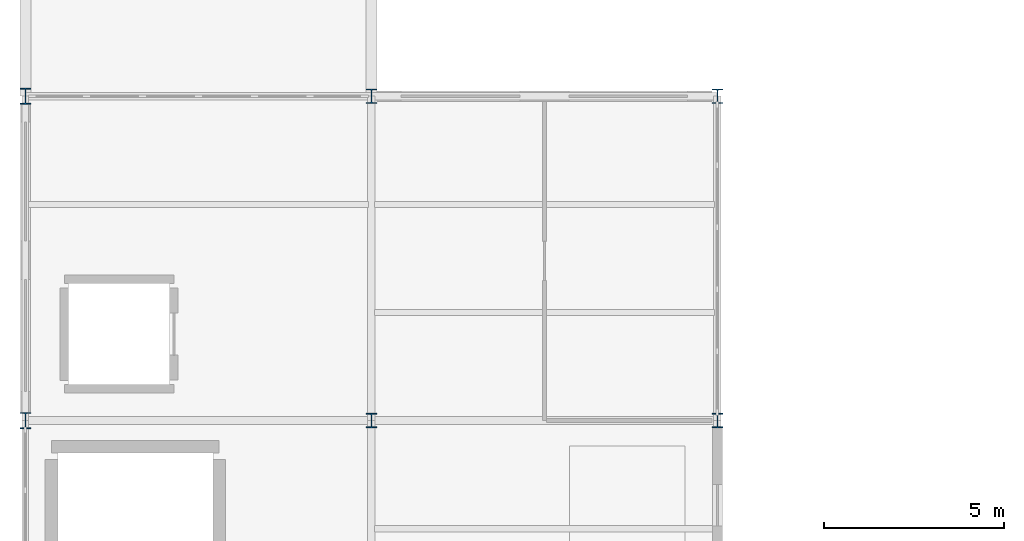
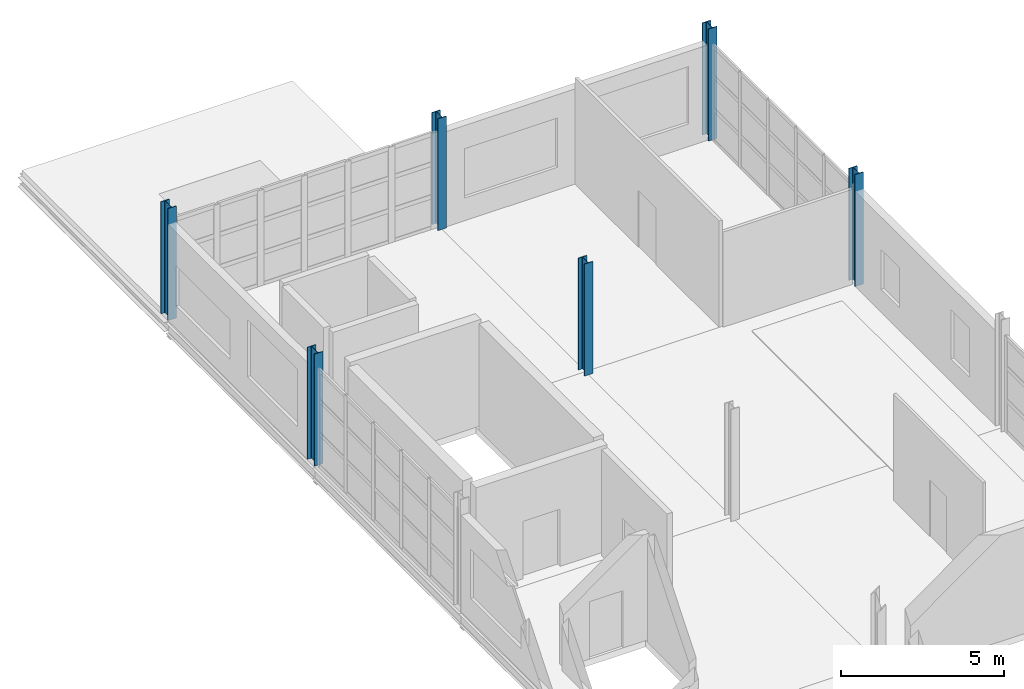
# One storey, part 2 of 15: 6 columns.
"""IFC4 building model written with IfcOpenShell, lengths in metres."""

from ifc_helpers import new_model, si_unit, direction, frame, origin, origin_2d, place, context, subcontext, project, spatial, i_section, extrude, material, material_profile, profile_set, type_object, element, save


model = new_model("IFC4")

# Units and contexts
model_context = context("Model", 3, precision=1e-05, world=origin(), true_north=direction((0.0, 1.0)))
body_context = subcontext(model_context, "Body", "Model", "MODEL_VIEW")
ifc_project = project(units=[si_unit("LENGTHUNIT", "METRE"), si_unit("AREAUNIT", "SQUARE_METRE"), si_unit("VOLUMEUNIT", "CUBIC_METRE"), si_unit("PLANEANGLEUNIT", "RADIAN"), si_unit("MASSUNIT", "GRAM", prefix="KILO")], contexts=[model_context])

# Site, building, storey
site_placement = place(None, origin())
site = spatial("IfcSite", under=ifc_project, at=site_placement, CompositionType="ELEMENT")
building_placement = place(site_placement, origin())
building = spatial("IfcBuilding", under=site, at=building_placement, Name="Zarnetskaya Central Station", CompositionType="ELEMENT")
storey_placement = place(building_placement, frame((0.0, 0.0, 22.800048828125)))
storey = spatial("IfcBuildingStorey", under=building, at=storey_placement, Name="L05", CompositionType="ELEMENT", Elevation=22.800048828125)

# Columns
ifc_material = material(Name="Steel S355", Category="steel")
ifc_material_profile_1 = material_profile(ifc_material, i_section(OverallWidth=0.300048828125, OverallDepth=0.449951171875, WebThickness=0.013916015625, FlangeThickness=0.02587890625, FilletRadius=0.027099609375, at=origin_2d()), Name="HEB 450")
ifc_profile_set_1 = profile_set([ifc_material_profile_1], Name="Steel S355")
column_type_1 = type_object("IfcColumnType", Name="COL-V5-TOP-E", PredefinedType="COLUMN", material=ifc_profile_set_1)
for number, where, z_axis, x_axis, name in (
    (1, (0.0, 40.199951171875, 0.0), (0.0, 0.0, 1.0), (1.0, 0.0, 0.0), "Column A6 L05"),
    (2, (0.0, 49.199951171875, 0.0), (0.0, 0.0, 1.0), (1.0, 0.0, 0.0), "Column A7 L05"),
):
    element("IfcColumn", number, at=place(storey_placement, frame(where, z_axis=z_axis, x_axis=x_axis)), inside=storey, type_object=column_type_1, Name=name, PredefinedType="COLUMN", context=body_context, shape_type="SweptSolid", body=[
        extrude(i_section(OverallWidth=0.300048828125, OverallDepth=0.449951171875, WebThickness=0.013916015625, FlangeThickness=0.02587890625, FilletRadius=0.027099609375, at=origin_2d()), origin(), (0.0, 0.0, 1.0), 4.199951171875),
    ])
ifc_material_profile_2 = material_profile(ifc_material, i_section(OverallWidth=0.300048828125, OverallDepth=0.39990234375, WebThickness=0.013427734375, FlangeThickness=0.02392578125, FilletRadius=0.027099609375, at=origin_2d()), Name="HEB 400")
ifc_profile_set_2 = profile_set([ifc_material_profile_2], Name="Steel S355")
column_type_2 = type_object("IfcColumnType", Name="COL-V5-TOP-I", PredefinedType="COLUMN", material=ifc_profile_set_2)
for number, where, z_axis, x_axis, name in (
    (3, (9.60009765625, 40.199951171875, 0.0), (0.0, 0.0, 1.0), (1.0, 0.0, 0.0), "Column B6 L05"),
    (4, (9.60009765625, 49.199951171875, 0.0), (0.0, 0.0, 1.0), (1.0, 0.0, 0.0), "Column B7 L05"),
    (5, (19.199951171875, 40.199951171875, 0.0), (0.0, 0.0, 1.0), (1.0, 0.0, 0.0), "Column C6 L05"),
    (6, (19.199951171875, 49.199951171875, 0.0), (0.0, 0.0, 1.0), (1.0, 0.0, 0.0), "Column C7 L05"),
):
    element("IfcColumn", number, at=place(storey_placement, frame(where, z_axis=z_axis, x_axis=x_axis)), inside=storey, type_object=column_type_2, Name=name, PredefinedType="COLUMN", context=body_context, shape_type="SweptSolid", body=[
        extrude(i_section(OverallWidth=0.300048828125, OverallDepth=0.39990234375, WebThickness=0.013427734375, FlangeThickness=0.02392578125, FilletRadius=0.027099609375, at=origin_2d()), origin(), (0.0, 0.0, 1.0), 4.199951171875),
    ])

save(model, "model.ifc")
